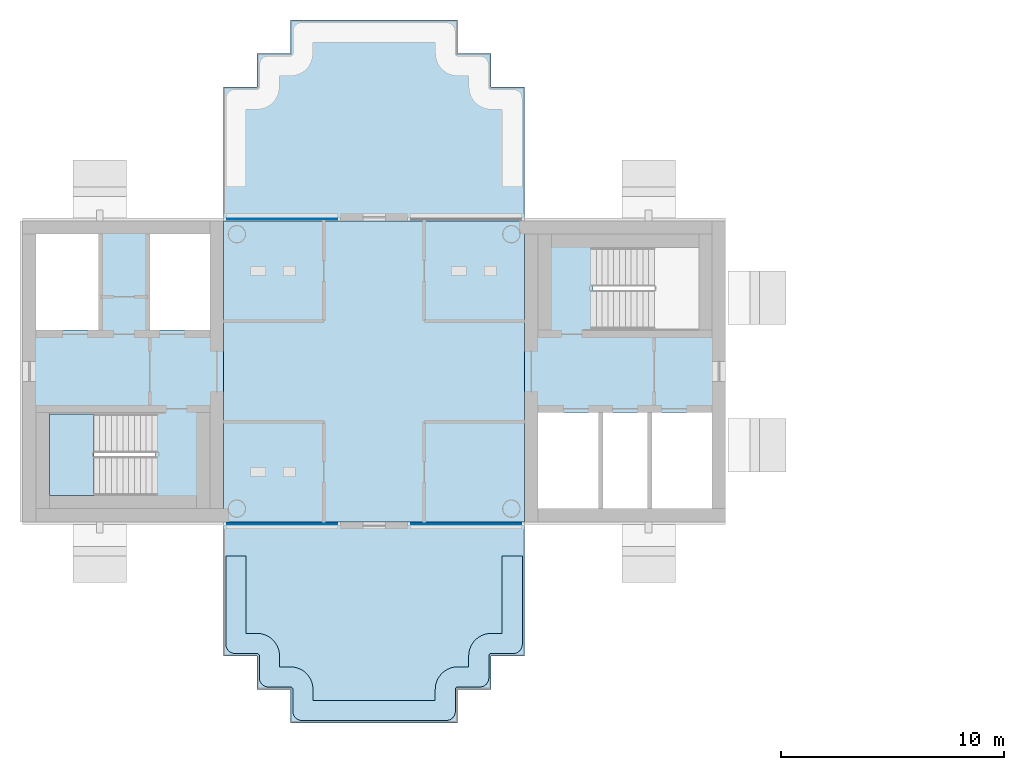
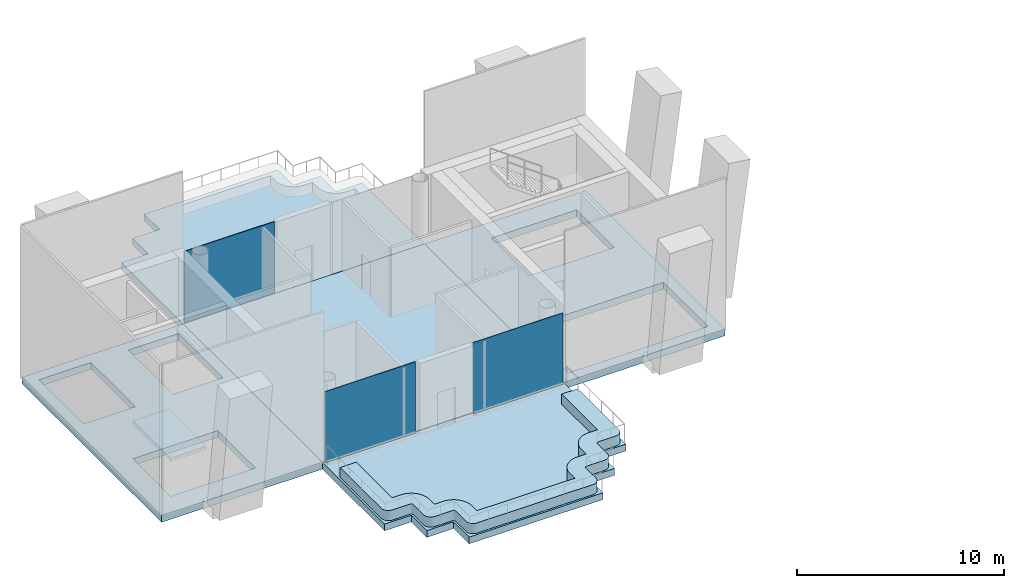
# One storey, part 4 of 17: 7 slabs, 3 plates, 4 elements without a shape of their own.
"""IFC4 building model written with IfcOpenShell, lengths in metres."""

from ifc_helpers import new_model, si_unit, direction, frame, origin, origin_2d, place, context, subcontext, project, spatial, polyline, rectangle, outline, extrude, material, layer, layer_set, type_object, element, aggregate, save


model = new_model("IFC4")

# Units and contexts
model_context = context("Model", 3, precision=1e-05, world=origin(), true_north=direction((0.0, 1.0)))
body_context = subcontext(model_context, "Body", "Model", "MODEL_VIEW")
ifc_project = project(units=[si_unit("LENGTHUNIT", "METRE"), si_unit("AREAUNIT", "SQUARE_METRE"), si_unit("VOLUMEUNIT", "CUBIC_METRE"), si_unit("PLANEANGLEUNIT", "RADIAN"), si_unit("MASSUNIT", "GRAM", prefix="KILO")], contexts=[model_context])

# Site, building, storey
site_placement = place(None, origin())
site = spatial("IfcSite", under=ifc_project, at=site_placement, CompositionType="ELEMENT")
building_placement = place(site_placement, origin())
building = spatial("IfcBuilding", under=site, at=building_placement, Name="Ipe Terrace Towers", CompositionType="ELEMENT")
storey_placement = place(building_placement, frame((0.0, 0.0, 246.89990234375)))
storey = spatial("IfcBuildingStorey", under=building, at=storey_placement, Name="L68", CompositionType="ELEMENT", Elevation=246.89990234375)

# Slabs
ifc_material_1 = material(Name="Concrete C30/37", Category="concrete")
ifc_layer_1 = layer(ifc_material_1, 0.39990234375)
ifc_layer_set_1 = layer_set([ifc_layer_1], Name="CORE FLOOR SLAB 400 C30-37")
slab_type_1 = type_object("IfcSlabType", Name="CORE FLOOR SLAB 400 C30-37", PredefinedType="FLOOR", material=ifc_layer_set_1)
slab_1_placement = place(storey_placement, frame((0.0, 0.0, -0.39990234375)))
element("IfcSlab", 1, at=slab_1_placement, inside=storey, type_object=slab_type_1, Name="Core floor T1-C1", PredefinedType="FLOOR", context=body_context, shape_type="SweptSolid", body=[
    extrude(outline(polyline([(-29.25, -6.75), (-29.25, 6.75), (-20.25, 6.75), (-20.25, -6.75), (-29.25, -6.75)]), holes=[polyline([(-28.64990234375, -6.14990234375), (-20.85009765625, -6.14990234375), (-20.85009765625, -1.85009765625), (-28.64990234375, -1.85009765625), (-28.64990234375, -6.14990234375)]), polyline([(-26.199951171875, 5.550048828125), (-26.199951171875, 1.89990234375), (-21.449951171875, 1.89990234375), (-21.449951171875, 5.550048828125), (-26.199951171875, 5.550048828125)])]), origin(), (0.0, 0.0, 1.0), 0.39990234375),
])
slab_2_placement = place(storey_placement, frame((0.0, 0.0, -0.39990234375)))
element("IfcSlab", 2, at=slab_2_placement, inside=storey, type_object=slab_type_1, Name="Core floor T1-C2", PredefinedType="FLOOR", context=body_context, shape_type="SweptSolid", body=[
    extrude(outline(polyline([(-51.75, -6.75), (-51.75, 6.75), (-42.75, 6.75), (-42.75, -6.75), (-51.75, -6.75)]), holes=[polyline([(-45.800048828125, -1.89990234375), (-50.550048828125, -1.89990234375), (-50.550048828125, -5.550048828125), (-45.800048828125, -5.550048828125), (-45.800048828125, -1.89990234375)]), polyline([(-48.25, 1.85009765625), (-48.25, 6.14990234375), (-51.14990234375, 6.14990234375), (-51.14990234375, 1.85009765625), (-48.25, 1.85009765625)]), polyline([(-43.35009765625, 1.85009765625), (-43.35009765625, 6.14990234375), (-46.14990234375, 6.14990234375), (-46.14990234375, 1.85009765625), (-43.35009765625, 1.85009765625)])]), origin(), (0.0, 0.0, 1.0), 0.39990234375),
])

# Stair, slab
ifc_material_2 = material(Name="Concrete C30/37", Category="concrete")
stair_type = type_object("IfcStairType", Name="Protected exit stair", PredefinedType="HALF_TURN_STAIR", material=ifc_material_2)
stair_placement = place(storey_placement, origin())
stair = element("IfcStair", 3, at=stair_placement, inside=storey, type_object=stair_type, Name="L68 Exit stair T1-C2", PredefinedType="HALF_TURN_STAIR")
ifc_material_3 = material(Name="Concrete C30/37", Category="concrete")
ifc_layer_2 = layer(ifc_material_3, 0.199951171875)
ifc_layer_set_2 = layer_set([ifc_layer_2], Name="Exit stair landing 200")
slab_type_2 = type_object("IfcSlabType", Name="Exit stair landing 200", PredefinedType="LANDING", material=ifc_layer_set_2)
slab_3_placement = place(storey_placement, frame((0.0, 0.0, 2.050048828125)))
slab_3 = element("IfcSlab", 4, at=slab_3_placement, type_object=slab_type_2, Name="T1-ST2 landing 1", PredefinedType="LANDING", context=body_context, shape_type="SweptSolid", body=[
    extrude(outline(polyline([(-48.56005859375, -1.89990234375), (-50.550048828125, -1.89990234375), (-50.550048828125, -5.550048828125), (-48.56005859375, -5.550048828125), (-48.56005859375, -1.89990234375)])), origin(), (0.0, 0.0, 1.0), 0.199951171875),
])
aggregate(stair, [slab_3])

# Slabs
ifc_material_4 = material(Name="Concrete C40/50", Category="concrete")
ifc_layer_3 = layer(ifc_material_4, 0.39990234375)
ifc_layer_set_3 = layer_set([ifc_layer_3], Name="FLAT PLATE SLAB 400 C40-50")
slab_type_3 = type_object("IfcSlabType", Name="FLAT PLATE SLAB 400 C40-50", PredefinedType="FLOOR", material=ifc_layer_set_3)
slab_4_placement = place(storey_placement, frame((0.0, 0.0, -0.39990234375)))
element("IfcSlab", 5, at=slab_4_placement, inside=storey, type_object=slab_type_3, Name="Slab T1-FS-Z41", PredefinedType="FLOOR", context=body_context, shape_type="SweptSolid", body=[
    extrude(outline(polyline([(-29.25, 6.75), (-29.25, -6.75), (-42.75, -6.75), (-42.75, 6.75), (-29.25, 6.75)])), origin(), (0.0, 0.0, 1.0), 0.39990234375),
])
ifc_material_5 = material(Name="Concrete C40/50", Category="concrete")
ifc_layer_4 = layer(ifc_material_5, 0.39990234375)
ifc_layer_set_4 = layer_set([ifc_layer_4], Name="TERRACE DECK SLAB 400 C40-50")
slab_type_4 = type_object("IfcSlabType", Name="TERRACE DECK SLAB 400 C40-50", PredefinedType="FLOOR", material=ifc_layer_set_4)
slab_5_placement = place(storey_placement, frame((0.0, 0.0, -0.419921875)))
element("IfcSlab", 6, at=slab_5_placement, inside=storey, type_object=slab_type_4, Name="Slab T1-TD-L68-1", PredefinedType="FLOOR", context=body_context, shape_type="SweptSolid", body=[
    extrude(outline(polyline([(-42.7451171875, -6.7548828125), (-29.2548828125, -6.7548828125), (-29.2548828125, -12.7451171875), (-30.7548828125, -12.7451171875), (-30.7548828125, -14.2451171875), (-32.2548828125, -14.2451171875), (-32.2548828125, -15.7451171875), (-39.7451171875, -15.7451171875), (-39.7451171875, -14.2451171875), (-41.2451171875, -14.2451171875), (-41.2451171875, -12.7451171875), (-42.7451171875, -12.7451171875), (-42.7451171875, -6.7548828125)])), origin(), (0.0, 0.0, 1.0), 0.39990234375),
])
slab_6_placement = place(storey_placement, frame((0.0, 0.0, -0.419921875)))
element("IfcSlab", 7, at=slab_6_placement, inside=storey, type_object=slab_type_4, Name="Slab T1-TD-L68-2", PredefinedType="FLOOR", context=body_context, shape_type="SweptSolid", body=[
    extrude(outline(polyline([(-42.7451171875, 12.7451171875), (-41.2451171875, 12.7451171875), (-41.2451171875, 14.2451171875), (-39.7451171875, 14.2451171875), (-39.7451171875, 15.7451171875), (-32.2548828125, 15.7451171875), (-32.2548828125, 14.2451171875), (-30.7548828125, 14.2451171875), (-30.7548828125, 12.7451171875), (-29.2548828125, 12.7451171875), (-29.2548828125, 6.7548828125), (-42.7451171875, 6.7548828125), (-42.7451171875, 12.7451171875)])), origin(), (0.0, 0.0, 1.0), 0.39990234375),
])

# Curtain wall, plate
ifc_material_6 = material(Name="Aluminium alloy 6063-T6", Category="aluminium")
ifc_layer_5 = layer(ifc_material_6, 0.320068359375)
ifc_layer_set_5 = layer_set([ifc_layer_5], Name="TERRACE FRONT CURTAIN WALL")
curtain_wall_type = type_object("IfcCurtainWallType", Name="TERRACE FRONT CURTAIN WALL", PredefinedType="NOTDEFINED", material=ifc_layer_set_5)
curtain_wall_1_placement = place(storey_placement, origin())
curtain_wall_1 = element("IfcCurtainWall", 8, at=curtain_wall_1_placement, inside=storey, type_object=curtain_wall_type, Name="T1-CW-L68-00b curtain wall", PredefinedType="NOTDEFINED")
ifc_material_7 = material(Name="Glass, clear laminated", Category="glass")
ifc_layer_6 = layer(ifc_material_7, 0.028076171875)
ifc_layer_set_6 = layer_set([ifc_layer_6], Name="TERRACE FRONT GLASS PANEL 28")
plate_type = type_object("IfcPlateType", Name="TERRACE FRONT GLASS PANEL 28", PredefinedType="CURTAIN_PANEL", material=ifc_layer_set_6)
plate_1_placement = place(storey_placement, frame((-40.12451171875, -6.830078125, -0.02001953125), z_axis=(0.0, 0.0, 1.0), x_axis=(1.0, 0.0, 0.0)))
plate_1 = element("IfcPlate", 9, at=plate_1_placement, type_object=plate_type, Name="T1-CW-L68-00b panel 1", PredefinedType="CURTAIN_PANEL", context=body_context, shape_type="SweptSolid", body=[
    extrude(rectangle(XDim=5.029052734375, YDim=0.028076171875, at=origin_2d()), origin(), (0.0, 0.0, 1.0), 4.219970703125),
])
aggregate(curtain_wall_1, [plate_1])

curtain_wall_2_placement = place(storey_placement, origin())
curtain_wall_2 = element("IfcCurtainWall", 10, at=curtain_wall_2_placement, inside=storey, type_object=curtain_wall_type, Name="T1-CW-L68-00d curtain wall", PredefinedType="NOTDEFINED")
plate_2_placement = place(storey_placement, frame((-31.87548828125, -6.830078125, -0.02001953125), z_axis=(0.0, 0.0, 1.0), x_axis=(1.0, 0.0, 0.0)))
plate_2 = element("IfcPlate", 11, at=plate_2_placement, type_object=plate_type, Name="T1-CW-L68-00d panel 1", PredefinedType="CURTAIN_PANEL", context=body_context, shape_type="SweptSolid", body=[
    extrude(rectangle(XDim=5.029052734375, YDim=0.028076171875, at=origin_2d()), origin(), (0.0, 0.0, 1.0), 4.219970703125),
])
aggregate(curtain_wall_2, [plate_2])

curtain_wall_3_placement = place(storey_placement, origin())
curtain_wall_3 = element("IfcCurtainWall", 12, at=curtain_wall_3_placement, inside=storey, type_object=curtain_wall_type, Name="T1-CW-L68-02d curtain wall", PredefinedType="NOTDEFINED")
plate_3_placement = place(storey_placement, frame((-40.12451171875, 6.830078125, -0.02001953125), z_axis=(0.0, 0.0, 1.0), x_axis=(-1.0, 0.0, 0.0)))
plate_3 = element("IfcPlate", 13, at=plate_3_placement, type_object=plate_type, Name="T1-CW-L68-02d panel 1", PredefinedType="CURTAIN_PANEL", context=body_context, shape_type="SweptSolid", body=[
    extrude(rectangle(XDim=5.029052734375, YDim=0.028076171875, at=origin_2d()), origin(), (0.0, 0.0, 1.0), 4.219970703125),
])
aggregate(curtain_wall_3, [plate_3])

# Slab
ifc_material_8 = material(Name="Concrete C30/37", Category="concrete")
ifc_layer_7 = layer(ifc_material_8, 0.60009765625)
ifc_layer_set_7 = layer_set([ifc_layer_7], Name="TERRACE PLANTING BED 900 x 600")
slab_type_5 = type_object("IfcSlabType", Name="TERRACE PLANTING BED 900 x 600", PredefinedType="USERDEFINED", material=ifc_layer_set_7)
slab_7_placement = place(storey_placement, frame((0.0, 0.0, -0.02001953125)))
element("IfcSlab", 14, at=slab_7_placement, inside=storey, type_object=slab_type_5, Name="planter", ObjectType="PLANTER", PredefinedType="USERDEFINED", context=body_context, shape_type="SweptSolid", body=[
    extrude(outline(polyline([(-41.739990234375, -11.739990234375), (-41.739990234375, -11.72998046875), (-41.739990234375, -8.27001953125), (-42.639892578125, -8.27001953125), (-42.639892578125, -12.239990234375), (-42.637939453125, -12.279052734375), (-42.632080078125, -12.318115234375), (-42.623046875, -12.35595703125), (-42.610107421875, -12.39306640625), (-42.593017578125, -12.428955078125), (-42.572998046875, -12.4619140625), (-42.549072265625, -12.493896484375), (-42.52294921875, -12.52294921875), (-42.493896484375, -12.549072265625), (-42.4619140625, -12.572998046875), (-42.428955078125, -12.593017578125), (-42.39306640625, -12.610107421875), (-42.35595703125, -12.623046875), (-42.318115234375, -12.632080078125), (-42.279052734375, -12.637939453125), (-42.239990234375, -12.639892578125), (-41.26611328125, -12.639892578125), (-41.256103515625, -12.639892578125), (-41.2490234375, -12.64111328125), (-41.23388671875, -12.64208984375), (-41.222900390625, -12.64404296875), (-41.212890625, -12.64697265625), (-41.202880859375, -12.65087890625), (-41.194091796875, -12.656005859375), (-41.18505859375, -12.662109375), (-41.177001953125, -12.6689453125), (-41.1689453125, -12.677001953125), (-41.162109375, -12.68505859375), (-41.156005859375, -12.694091796875), (-41.15087890625, -12.702880859375), (-41.14697265625, -12.712890625), (-41.14404296875, -12.722900390625), (-41.14208984375, -12.73388671875), (-41.14111328125, -12.7490234375), (-41.139892578125, -12.756103515625), (-41.139892578125, -12.76611328125), (-41.139892578125, -13.739990234375), (-41.137939453125, -13.779052734375), (-41.132080078125, -13.818115234375), (-41.123046875, -13.85595703125), (-41.110107421875, -13.89306640625), (-41.093017578125, -13.928955078125), (-41.072998046875, -13.9619140625), (-41.049072265625, -13.993896484375), (-41.02294921875, -14.02294921875), (-40.993896484375, -14.049072265625), (-40.9619140625, -14.072998046875), (-40.928955078125, -14.093017578125), (-40.89306640625, -14.110107421875), (-40.85595703125, -14.123046875), (-40.818115234375, -14.132080078125), (-40.779052734375, -14.137939453125), (-40.739990234375, -14.139892578125), (-39.76611328125, -14.139892578125), (-39.756103515625, -14.139892578125), (-39.7490234375, -14.14111328125), (-39.73388671875, -14.14208984375), (-39.722900390625, -14.14404296875), (-39.712890625, -14.14697265625), (-39.702880859375, -14.15087890625), (-39.694091796875, -14.156005859375), (-39.68505859375, -14.162109375), (-39.677001953125, -14.1689453125), (-39.6689453125, -14.177001953125), (-39.662109375, -14.18505859375), (-39.656005859375, -14.194091796875), (-39.65087890625, -14.202880859375), (-39.64697265625, -14.212890625), (-39.64404296875, -14.222900390625), (-39.64208984375, -14.23388671875), (-39.64111328125, -14.2490234375), (-39.639892578125, -14.256103515625), (-39.639892578125, -14.26611328125), (-39.639892578125, -15.239990234375), (-39.637939453125, -15.279052734375), (-39.632080078125, -15.318115234375), (-39.623046875, -15.35595703125), (-39.610107421875, -15.39306640625), (-39.593017578125, -15.428955078125), (-39.572998046875, -15.4619140625), (-39.549072265625, -15.493896484375), (-39.52294921875, -15.52294921875), (-39.493896484375, -15.549072265625), (-39.4619140625, -15.572998046875), (-39.428955078125, -15.593017578125), (-39.39306640625, -15.610107421875), (-39.35595703125, -15.623046875), (-39.318115234375, -15.632080078125), (-39.279052734375, -15.637939453125), (-39.239990234375, -15.639892578125), (-32.760009765625, -15.639892578125), (-32.720947265625, -15.637939453125), (-32.681884765625, -15.632080078125), (-32.64404296875, -15.623046875), (-32.60693359375, -15.610107421875), (-32.571044921875, -15.593017578125), (-32.5380859375, -15.572998046875), (-32.506103515625, -15.549072265625), (-32.47705078125, -15.52294921875), (-32.450927734375, -15.493896484375), (-32.427001953125, -15.4619140625), (-32.406982421875, -15.428955078125), (-32.389892578125, -15.39306640625), (-32.376953125, -15.35595703125), (-32.367919921875, -15.318115234375), (-32.362060546875, -15.279052734375), (-32.360107421875, -15.239990234375), (-32.360107421875, -14.26611328125), (-32.360107421875, -14.256103515625), (-32.35888671875, -14.2490234375), (-32.35791015625, -14.23388671875), (-32.35595703125, -14.222900390625), (-32.35302734375, -14.212890625), (-32.34912109375, -14.202880859375), (-32.343994140625, -14.194091796875), (-32.337890625, -14.18505859375), (-32.3310546875, -14.177001953125), (-32.322998046875, -14.1689453125), (-32.31494140625, -14.162109375), (-32.305908203125, -14.156005859375), (-32.297119140625, -14.15087890625), (-32.287109375, -14.14697265625), (-32.277099609375, -14.14404296875), (-32.26611328125, -14.14208984375), (-32.2509765625, -14.14111328125), (-32.243896484375, -14.139892578125), (-32.23388671875, -14.139892578125), (-31.260009765625, -14.139892578125), (-31.220947265625, -14.137939453125), (-31.181884765625, -14.132080078125), (-31.14404296875, -14.123046875), (-31.10693359375, -14.110107421875), (-31.071044921875, -14.093017578125), (-31.0380859375, -14.072998046875), (-31.006103515625, -14.049072265625), (-30.97705078125, -14.02294921875), (-30.950927734375, -13.993896484375), (-30.927001953125, -13.9619140625), (-30.906982421875, -13.928955078125), (-30.889892578125, -13.89306640625), (-30.876953125, -13.85595703125), (-30.867919921875, -13.818115234375), (-30.862060546875, -13.779052734375), (-30.860107421875, -13.739990234375), (-30.860107421875, -12.76611328125), (-30.860107421875, -12.756103515625), (-30.85888671875, -12.7490234375), (-30.85791015625, -12.73388671875), (-30.85595703125, -12.722900390625), (-30.85302734375, -12.712890625), (-30.84912109375, -12.702880859375), (-30.843994140625, -12.694091796875), (-30.837890625, -12.68505859375), (-30.8310546875, -12.677001953125), (-30.822998046875, -12.6689453125), (-30.81494140625, -12.662109375), (-30.805908203125, -12.656005859375), (-30.797119140625, -12.65087890625), (-30.787109375, -12.64697265625), (-30.777099609375, -12.64404296875), (-30.76611328125, -12.64208984375), (-30.7509765625, -12.64111328125), (-30.743896484375, -12.639892578125), (-30.73388671875, -12.639892578125), (-29.760009765625, -12.639892578125), (-29.720947265625, -12.637939453125), (-29.681884765625, -12.632080078125), (-29.64404296875, -12.623046875), (-29.60693359375, -12.610107421875), (-29.571044921875, -12.593017578125), (-29.5380859375, -12.572998046875), (-29.506103515625, -12.549072265625), (-29.47705078125, -12.52294921875), (-29.450927734375, -12.493896484375), (-29.427001953125, -12.4619140625), (-29.406982421875, -12.428955078125), (-29.389892578125, -12.39306640625), (-29.376953125, -12.35595703125), (-29.367919921875, -12.318115234375), (-29.362060546875, -12.279052734375), (-29.360107421875, -12.239990234375), (-29.360107421875, -8.27001953125), (-30.260009765625, -8.27001953125), (-30.260009765625, -11.72998046875), (-30.260009765625, -11.739990234375), (-30.27001953125, -11.739990234375), (-30.7509765625, -11.739990234375), (-30.77099609375, -11.739990234375), (-30.8291015625, -11.742919921875), (-30.867919921875, -11.7470703125), (-30.927978515625, -11.756103515625), (-30.966064453125, -11.763916015625), (-31.02392578125, -11.778076171875), (-31.06201171875, -11.7900390625), (-31.117919921875, -11.81005859375), (-31.154052734375, -11.824951171875), (-31.208984375, -11.85009765625), (-31.242919921875, -11.868896484375), (-31.294921875, -11.89990234375), (-31.326904296875, -11.9208984375), (-31.375, -11.95703125), (-31.406005859375, -11.98193359375), (-31.449951171875, -12.02197265625), (-31.47802734375, -12.050048828125), (-31.51806640625, -12.093994140625), (-31.54296875, -12.125), (-31.5791015625, -12.173095703125), (-31.60009765625, -12.205078125), (-31.631103515625, -12.257080078125), (-31.64990234375, -12.291015625), (-31.675048828125, -12.345947265625), (-31.68994140625, -12.382080078125), (-31.7099609375, -12.43798828125), (-31.721923828125, -12.47607421875), (-31.736083984375, -12.533935546875), (-31.743896484375, -12.572021484375), (-31.7529296875, -12.632080078125), (-31.757080078125, -12.6708984375), (-31.760009765625, -12.72900390625), (-31.760009765625, -12.7490234375), (-31.760009765625, -13.22998046875), (-31.760009765625, -13.239990234375), (-31.77001953125, -13.239990234375), (-32.2509765625, -13.239990234375), (-32.27099609375, -13.239990234375), (-32.3291015625, -13.242919921875), (-32.367919921875, -13.2470703125), (-32.427978515625, -13.256103515625), (-32.466064453125, -13.263916015625), (-32.52392578125, -13.278076171875), (-32.56201171875, -13.2900390625), (-32.617919921875, -13.31005859375), (-32.654052734375, -13.324951171875), (-32.708984375, -13.35009765625), (-32.742919921875, -13.368896484375), (-32.794921875, -13.39990234375), (-32.826904296875, -13.4208984375), (-32.875, -13.45703125), (-32.906005859375, -13.48193359375), (-32.949951171875, -13.52197265625), (-32.97802734375, -13.550048828125), (-33.01806640625, -13.593994140625), (-33.04296875, -13.625), (-33.0791015625, -13.673095703125), (-33.10009765625, -13.705078125), (-33.131103515625, -13.757080078125), (-33.14990234375, -13.791015625), (-33.175048828125, -13.845947265625), (-33.18994140625, -13.882080078125), (-33.2099609375, -13.93798828125), (-33.221923828125, -13.97607421875), (-33.236083984375, -14.033935546875), (-33.243896484375, -14.072021484375), (-33.2529296875, -14.132080078125), (-33.257080078125, -14.1708984375), (-33.260009765625, -14.22900390625), (-33.260009765625, -14.2490234375), (-33.260009765625, -14.72998046875), (-33.260009765625, -14.739990234375), (-33.27001953125, -14.739990234375), (-38.72998046875, -14.739990234375), (-38.739990234375, -14.739990234375), (-38.739990234375, -14.72998046875), (-38.739990234375, -14.2490234375), (-38.739990234375, -14.22900390625), (-38.742919921875, -14.1708984375), (-38.7470703125, -14.132080078125), (-38.756103515625, -14.072021484375), (-38.763916015625, -14.033935546875), (-38.778076171875, -13.97607421875), (-38.7900390625, -13.93798828125), (-38.81005859375, -13.882080078125), (-38.824951171875, -13.845947265625), (-38.85009765625, -13.791015625), (-38.868896484375, -13.757080078125), (-38.89990234375, -13.705078125), (-38.9208984375, -13.673095703125), (-38.95703125, -13.625), (-38.98193359375, -13.593994140625), (-39.02197265625, -13.550048828125), (-39.050048828125, -13.52197265625), (-39.093994140625, -13.48193359375), (-39.125, -13.45703125), (-39.173095703125, -13.4208984375), (-39.205078125, -13.39990234375), (-39.257080078125, -13.368896484375), (-39.291015625, -13.35009765625), (-39.345947265625, -13.324951171875), (-39.382080078125, -13.31005859375), (-39.43798828125, -13.2900390625), (-39.47607421875, -13.278076171875), (-39.533935546875, -13.263916015625), (-39.572021484375, -13.256103515625), (-39.632080078125, -13.2470703125), (-39.6708984375, -13.242919921875), (-39.72900390625, -13.239990234375), (-39.7490234375, -13.239990234375), (-40.22998046875, -13.239990234375), (-40.239990234375, -13.239990234375), (-40.239990234375, -13.22998046875), (-40.239990234375, -12.7490234375), (-40.239990234375, -12.72900390625), (-40.242919921875, -12.6708984375), (-40.2470703125, -12.632080078125), (-40.256103515625, -12.572021484375), (-40.263916015625, -12.533935546875), (-40.278076171875, -12.47607421875), (-40.2900390625, -12.43798828125), (-40.31005859375, -12.382080078125), (-40.324951171875, -12.345947265625), (-40.35009765625, -12.291015625), (-40.368896484375, -12.257080078125), (-40.39990234375, -12.205078125), (-40.4208984375, -12.173095703125), (-40.45703125, -12.125), (-40.48193359375, -12.093994140625), (-40.52197265625, -12.050048828125), (-40.550048828125, -12.02197265625), (-40.593994140625, -11.98193359375), (-40.625, -11.95703125), (-40.673095703125, -11.9208984375), (-40.705078125, -11.89990234375), (-40.757080078125, -11.868896484375), (-40.791015625, -11.85009765625), (-40.845947265625, -11.824951171875), (-40.882080078125, -11.81005859375), (-40.93798828125, -11.7900390625), (-40.97607421875, -11.778076171875), (-41.033935546875, -11.763916015625), (-41.072021484375, -11.756103515625), (-41.132080078125, -11.7470703125), (-41.1708984375, -11.742919921875), (-41.22900390625, -11.739990234375), (-41.2490234375, -11.739990234375), (-41.72998046875, -11.739990234375), (-41.739990234375, -11.739990234375)])), origin(), (0.0, 0.0, 1.0), 0.60009765625),
])

save(model, "model.ifc")
